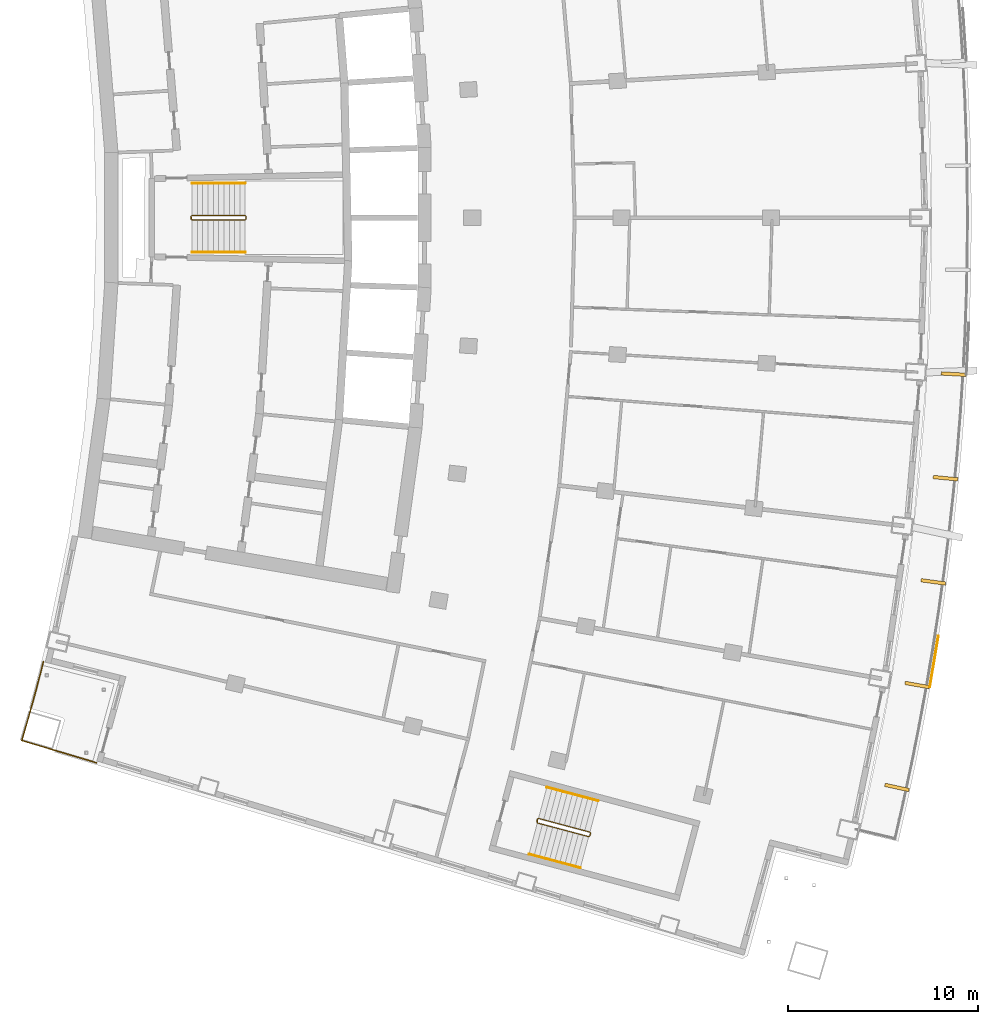
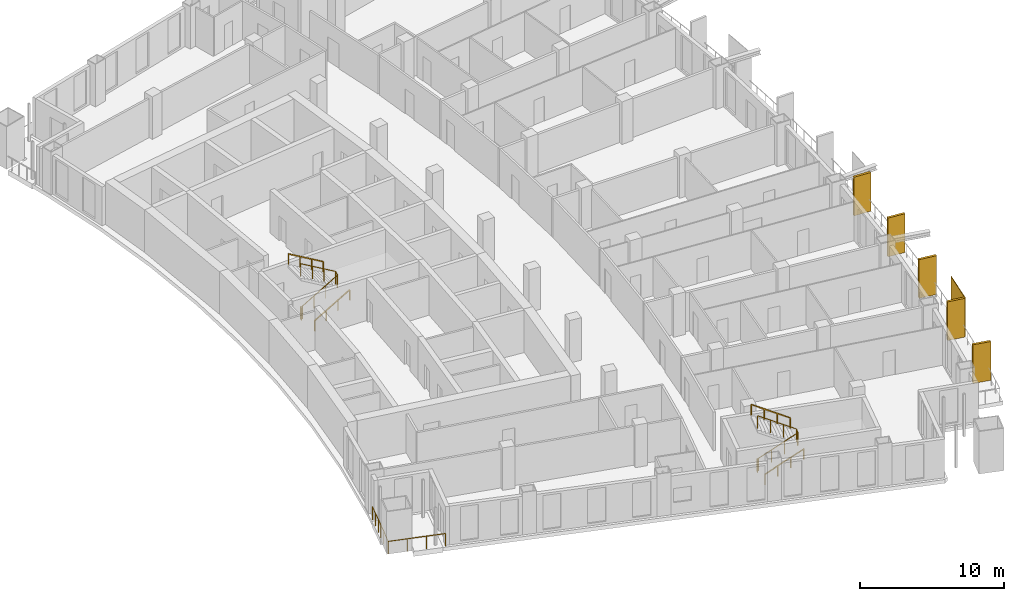
# One storey, part 18 of 20: 7 railings, 6 shading devices.
"""IFC4 building model written with IfcOpenShell, lengths in metres."""

from ifc_helpers import new_model, si_unit, direction, frame, origin, origin_with_axes, origin_2d, place, context, subcontext, project, spatial, rectangle, extrude, material, layer, layer_set, type_object, element, save


model = new_model("IFC4")

# Units and contexts
model_context = context("Model", 3, precision=1e-05, world=origin(), true_north=direction((0.0, 1.0)))
body_context = subcontext(model_context, "Body", "Model", "MODEL_VIEW")
ifc_project = project(units=[si_unit("LENGTHUNIT", "METRE"), si_unit("AREAUNIT", "SQUARE_METRE"), si_unit("VOLUMEUNIT", "CUBIC_METRE"), si_unit("PLANEANGLEUNIT", "RADIAN"), si_unit("MASSUNIT", "GRAM", prefix="KILO")], contexts=[model_context])

# Site, building, storey
site_placement = place(None, origin())
site = spatial("IfcSite", under=ifc_project, at=site_placement, CompositionType="ELEMENT")
building_placement = place(site_placement, origin())
building = spatial("IfcBuilding", under=site, at=building_placement, Name="Alderwake Tower", CompositionType="ELEMENT")
storey_placement = place(building_placement, frame((0.0, 0.0, 164.0)))
storey = spatial("IfcBuildingStorey", under=building, at=storey_placement, Name="L40", CompositionType="ELEMENT", Elevation=164.0)

# Railing
ifc_material_1 = material(Name="Stainless steel 316 rail and posts", Category="steel")
railing_type_1 = type_object("IfcRailingType", Name="Balcony guard 1100", PredefinedType="GUARDRAIL", material=ifc_material_1)
railing_1_placement = place(storey_placement, frame((13.210693359375, 37.612548828125, 0.0)))
element("IfcRailing", 1, at=railing_1_placement, inside=storey, type_object=railing_type_1, Name="Guard terrace RS", PredefinedType="GUARDRAIL", context=body_context, shape_type="SweptSolid", body=[
    extrude(rectangle(XDim=0.048095703125, YDim=0.048095703125, at=origin_2d()), frame((0.0, 0.0, 1.076171875), z_axis=(-0.251385381433, -0.967887075026, 0.0), x_axis=(0.967887075026, -0.251385381433, 0.0)), (0.0, 0.0, 1.0), 1.6015625),
    extrude(rectangle(XDim=0.048095703125, YDim=0.048095703125, at=origin_2d()), frame((-0.402587890625, -1.550048828125, 1.076171875), z_axis=(-0.266520638672, -0.963829211615, 0.0), x_axis=(0.963829211615, -0.266520638672, 0.0)), (0.0, 0.0, 1.0), 1.401611328125),
    extrude(rectangle(XDim=0.048095703125, YDim=0.048095703125, at=origin_2d()), frame((-0.776123046875, -2.90087890625, 1.076171875), z_axis=(-0.280093650878, -0.959972680204, 0.0), x_axis=(0.959972680204, -0.280093650878, 0.0)), (0.0, 0.0, 1.0), 1.30126953125),
    extrude(rectangle(XDim=0.048095703125, YDim=0.048095703125, at=origin_2d()), frame((-1.140625, -4.150146484375, 1.076171875), z_axis=(0.958066871889, -0.286544706789, 0.0), x_axis=(0.286544706789, 0.958066871889, 0.0)), (0.0, 0.0, 1.0), 4.099853515625),
    extrude(rectangle(XDim=0.0419921875, YDim=0.0419921875, at=origin_2d()), frame((0.0, 0.0, 0.0), z_axis=(0.0, 0.0, 1.0), x_axis=(-0.251385381433, -0.967887075026, 0.0)), (0.0, 0.0, 1.0), 1.052001953125),
    extrude(rectangle(XDim=0.0419921875, YDim=0.0419921875, at=origin_2d()), frame((-0.201171875, -0.77490234375, 0.0), z_axis=(0.0, 0.0, 1.0), x_axis=(-0.251385381433, -0.967887075026, 0.0)), (0.0, 0.0, 1.0), 1.052001953125),
    extrude(rectangle(XDim=0.0419921875, YDim=0.0419921875, at=origin_2d()), frame((-0.402587890625, -1.550048828125, 0.0), z_axis=(0.0, 0.0, 1.0), x_axis=(-0.266520638672, -0.963829211615, 0.0)), (0.0, 0.0, 1.0), 1.052001953125),
    extrude(rectangle(XDim=0.0419921875, YDim=0.0419921875, at=origin_2d()), frame((-0.58935546875, -2.2255859375, 0.0), z_axis=(0.0, 0.0, 1.0), x_axis=(-0.266520638672, -0.963829211615, 0.0)), (0.0, 0.0, 1.0), 1.052001953125),
    extrude(rectangle(XDim=0.0419921875, YDim=0.0419921875, at=origin_2d()), frame((-0.776123046875, -2.90087890625, 0.0), z_axis=(0.0, 0.0, 1.0), x_axis=(-0.280093650878, -0.959972680204, 0.0)), (0.0, 0.0, 1.0), 1.052001953125),
    extrude(rectangle(XDim=0.0419921875, YDim=0.0419921875, at=origin_2d()), frame((-1.140625, -4.150146484375, 0.0), z_axis=(0.0, 0.0, 1.0), x_axis=(0.958066871889, -0.286544706789, 0.0)), (0.0, 0.0, 1.0), 1.052001953125),
    extrude(rectangle(XDim=0.0419921875, YDim=0.0419921875, at=origin_2d()), frame((0.168701171875, -4.541748046875, 0.0), z_axis=(0.0, 0.0, 1.0), x_axis=(0.958066871889, -0.286544706789, 0.0)), (0.0, 0.0, 1.0), 1.052001953125),
    extrude(rectangle(XDim=0.0419921875, YDim=0.0419921875, at=origin_2d()), frame((1.47802734375, -4.933349609375, 0.0), z_axis=(0.0, 0.0, 1.0), x_axis=(0.958066871889, -0.286544706789, 0.0)), (0.0, 0.0, 1.0), 1.052001953125),
    extrude(rectangle(XDim=0.0419921875, YDim=0.0419921875, at=origin_2d()), frame((2.787353515625, -5.324951171875, 0.0), z_axis=(0.0, 0.0, 1.0), x_axis=(0.958066871889, -0.286544706789, 0.0)), (0.0, 0.0, 1.0), 1.052001953125),
])

# Shading devices
ifc_material_2 = material(Name="Bronze anodised aluminium", Category="aluminium")
ifc_layer_1 = layer(ifc_material_2, 0.179931640625)
ifc_layer_set_1 = layer_set([ifc_layer_1], Name="Facade fin 1300")
shading_device_type_1 = type_object("IfcShadingDeviceType", Name="Facade fin 1300", PredefinedType="USERDEFINED", material=ifc_layer_set_1)
for number, where, z_axis, x_axis, name in (
    (2, (58.177490234375, 30.984619140625, 0.0), (0.0, 0.0, 1.0), (0.977210363881, -0.212273184185, 0.0), "Fin"),
    (3, (59.240234375, 36.381103515625, 0.0), (0.0, 0.0, 1.0), (0.984726421654, -0.174108800747, 0.0), "Fin"),
    (4, (60.09228515625, 41.814697265625, 0.0), (0.0, 0.0, 1.0), (0.990752577235, -0.135680988728, 0.0), "Fin"),
    (5, (60.732666015625, 47.277587890625, 0.0), (0.0, 0.0, 1.0), (0.995279882363, -0.097046152751, 0.0), "Fin"),
    (6, (61.159912109375, 52.760986328125, 0.0), (0.0, 0.0, 1.0), (0.998301080988, -0.058266214038, 0.0), "Fin"),
):
    element("IfcShadingDevice", number, at=place(storey_placement, frame(where, z_axis=z_axis, x_axis=x_axis)), inside=storey, type_object=shading_device_type_1, Name=name, ObjectType="FIN", PredefinedType="USERDEFINED", context=body_context, shape_type="SweptSolid", body=[
        extrude(rectangle(XDim=1.300048828125, YDim=0.179931640625, at=origin_2d()), origin(), (0.0, 0.0, 1.0), 3.280029296875),
    ])
ifc_material_3 = material(Name="Perforated bronze anodised aluminium", Category="aluminium")
ifc_layer_2 = layer(ifc_material_3, 0.050048828125)
ifc_layer_set_2 = layer_set([ifc_layer_2], Name="Perforated screen panel")
shading_device_type_2 = type_object("IfcShadingDeviceType", Name="Perforated screen panel", PredefinedType="USERDEFINED", material=ifc_layer_set_2)
shading_device_placement = place(storey_placement, frame((60.1318359375, 37.622802734375, 0.0), z_axis=(0.0, 0.0, 1.0), x_axis=(0.986369013299, -0.164548380739, 0.0)))
element("IfcShadingDevice", 7, at=shading_device_placement, inside=storey, type_object=shading_device_type_2, Name="Screen panel", ObjectType="SCREEN", PredefinedType="USERDEFINED", context=body_context, shape_type="SweptSolid", body=[
    extrude(rectangle(XDim=0.050048828125, YDim=2.756103515625, at=origin_2d()), origin(), (0.0, 0.0, 1.0), 3.280029296875),
])

# Railings
ifc_material_4 = material(Name="Stainless steel guard", Category="steel")
railing_type_2 = type_object("IfcRailingType", Name="Stair guard 1100", PredefinedType="GUARDRAIL", material=ifc_material_4)
railing_2_placement = place(storey_placement, frame((20.989990234375, 60.925048828125, 0.0)))
element("IfcRailing", 8, at=railing_2_placement, inside=storey, type_object=railing_type_2, Name="L40 ST-B stair guard 1", PredefinedType="GUARDRAIL", context=body_context, shape_type="SweptSolid", body=[
    extrude(rectangle(XDim=0.048095703125, YDim=0.048095703125, at=origin_2d()), frame((0.0, 0.0, 1.076171875), z_axis=(0.0, 1.0, 0.0), x_axis=(-1.0, 0.0, 0.0)), (0.0, 0.0, 1.0), 0.14990234375),
    extrude(rectangle(XDim=0.048095703125, YDim=0.048095703125, at=origin_2d()), frame((0.0, 0.14990234375, 1.076171875), z_axis=(0.190199549216, -0.759870394187, 0.621627795), x_axis=(0.970072785993, 0.242814311512, 0.0)), (0.0, 0.0, 1.0), 0.26318359375),
    extrude(rectangle(XDim=0.048095703125, YDim=0.048095703125, at=origin_2d()), frame((0.050048828125, -0.050048828125, 1.23974609375), z_axis=(0.863360870873, 0.0, 0.504586966384), x_axis=(0.0, 1.0, 0.0)), (0.0, 0.0, 1.0), 3.2431640625),
    extrude(rectangle(XDim=0.048095703125, YDim=0.048095703125, at=origin_2d()), frame((2.85009765625, -0.050048828125, 2.8759765625), z_axis=(0.705375805398, 0.708833529934, 0.0), x_axis=(-0.708833529934, 0.705375805398, 0.0)), (0.0, 0.0, 1.0), 0.070556640625),
    extrude(rectangle(XDim=0.048095703125, YDim=0.048095703125, at=origin_2d()), frame((2.89990234375, 0.0, 2.8759765625), z_axis=(0.0, 1.0, 0.0), x_axis=(-1.0, 0.0, 0.0)), (0.0, 0.0, 1.0), 0.14990234375),
    extrude(rectangle(XDim=0.048095703125, YDim=0.048095703125, at=origin_2d()), frame((2.89990234375, 0.14990234375, 2.8759765625), z_axis=(-0.279546231943, 0.280916556609, 0.91811752648), x_axis=(-0.708833529934, -0.705375805398, 0.0)), (0.0, 0.0, 1.0), 0.17822265625),
    extrude(rectangle(XDim=0.048095703125, YDim=0.048095703125, at=origin_2d()), frame((2.85009765625, 0.199951171875, 3.03955078125), z_axis=(-0.863360870873, 0.0, 0.504586966384), x_axis=(0.0, -1.0, 0.0)), (0.0, 0.0, 1.0), 3.2431640625),
    extrude(rectangle(XDim=0.0419921875, YDim=0.0419921875, at=origin_2d()), frame((0.0, 0.0, 0.0), z_axis=(0.0, 0.0, 1.0), x_axis=(0.0, 1.0, 0.0)), (0.0, 0.0, 1.0), 1.052001953125),
    extrude(rectangle(XDim=0.0419921875, YDim=0.0419921875, at=origin_2d()), frame((0.0, 0.14990234375, 0.0), z_axis=(0.0, 0.0, 1.0), x_axis=(0.242814311512, -0.970072785993, 0.0)), (0.0, 0.0, 1.0), 1.052001953125),
    extrude(rectangle(XDim=0.0419921875, YDim=0.0419921875, at=origin_2d()), frame((0.050048828125, -0.050048828125, 0.16357421875), z_axis=(0.0, 0.0, 1.0), x_axis=(1.0, 0.0, 0.0)), (0.0, 0.0, 1.0), 1.052001953125),
    extrude(rectangle(XDim=0.0419921875, YDim=0.0419921875, at=origin_2d()), frame((0.9833984375, -0.050048828125, 0.708984375), z_axis=(0.0, 0.0, 1.0), x_axis=(1.0, 0.0, 0.0)), (0.0, 0.0, 1.0), 1.052001953125),
    extrude(rectangle(XDim=0.0419921875, YDim=0.0419921875, at=origin_2d()), frame((1.916748046875, -0.050048828125, 1.254638671875), z_axis=(0.0, 0.0, 1.0), x_axis=(1.0, 0.0, 0.0)), (0.0, 0.0, 1.0), 1.052001953125),
    extrude(rectangle(XDim=0.0419921875, YDim=0.0419921875, at=origin_2d()), frame((2.85009765625, -0.050048828125, 1.800048828125), z_axis=(0.0, 0.0, 1.0), x_axis=(0.705375805398, 0.708833529934, 0.0)), (0.0, 0.0, 1.0), 1.052001953125),
    extrude(rectangle(XDim=0.0419921875, YDim=0.0419921875, at=origin_2d()), frame((2.89990234375, 0.0, 1.800048828125), z_axis=(0.0, 0.0, 1.0), x_axis=(0.0, 1.0, 0.0)), (0.0, 0.0, 1.0), 1.052001953125),
    extrude(rectangle(XDim=0.0419921875, YDim=0.0419921875, at=origin_2d()), frame((2.89990234375, 0.14990234375, 1.800048828125), z_axis=(0.0, 0.0, 1.0), x_axis=(-0.705375805398, 0.708833529934, 0.0)), (0.0, 0.0, 1.0), 1.052001953125),
    extrude(rectangle(XDim=0.0419921875, YDim=0.0419921875, at=origin_2d()), frame((2.85009765625, 0.199951171875, 1.963623046875), z_axis=(0.0, 0.0, 1.0), x_axis=(-1.0, 0.0, 0.0)), (0.0, 0.0, 1.0), 1.052001953125),
    extrude(rectangle(XDim=0.0419921875, YDim=0.0419921875, at=origin_2d()), frame((1.916748046875, 0.199951171875, 2.509033203125), z_axis=(0.0, 0.0, 1.0), x_axis=(-1.0, 0.0, 0.0)), (0.0, 0.0, 1.0), 1.052001953125),
    extrude(rectangle(XDim=0.0419921875, YDim=0.0419921875, at=origin_2d()), frame((0.9833984375, 0.199951171875, 3.0546875), z_axis=(0.0, 0.0, 1.0), x_axis=(-1.0, 0.0, 0.0)), (0.0, 0.0, 1.0), 1.052001953125),
    extrude(rectangle(XDim=0.0419921875, YDim=0.0419921875, at=origin_2d()), frame((0.050048828125, 0.199951171875, 3.60009765625), z_axis=(0.0, 0.0, 1.0), x_axis=(-1.0, 0.0, 0.0)), (0.0, 0.0, 1.0), 1.052001953125),
])
railing_3_placement = place(storey_placement, frame((39.1943359375, 29.17431640625, 0.0)))
element("IfcRailing", 9, at=railing_3_placement, inside=storey, type_object=railing_type_2, Name="L40 ST-C stair guard 1", PredefinedType="GUARDRAIL", context=body_context, shape_type="SweptSolid", body=[
    extrude(rectangle(XDim=0.048095703125, YDim=0.048095703125, at=origin_2d()), frame((0.0, 0.0, 1.076171875), z_axis=(0.257459803502, 0.966289009345, 0.0), x_axis=(-0.966289009345, 0.257459803502, 0.0)), (0.0, 0.0, 1.0), 0.14990234375),
    extrude(rectangle(XDim=0.048095703125, YDim=0.048095703125, at=origin_2d()), frame((0.03857421875, 0.144775390625, 1.076171875), z_axis=(-0.012062893862, -0.783160186125, 0.621702991355), x_axis=(0.999881397308, -0.015401016783, 0.0)), (0.0, 0.0, 1.0), 0.26318359375),
    extrude(rectangle(XDim=0.048095703125, YDim=0.048095703125, at=origin_2d()), frame((0.035400390625, -0.061279296875, 1.23974609375), z_axis=(0.834281824786, -0.222214197128, 0.504573768072), x_axis=(0.257380452725, 0.966310148221, 0.0)), (0.0, 0.0, 1.0), 3.2431640625),
    extrude(rectangle(XDim=0.048095703125, YDim=0.048095703125, at=origin_2d()), frame((2.7412109375, -0.781982421875, 2.8759765625), z_axis=(0.865031189262, 0.501718089772, 0.0), x_axis=(-0.501718089772, 0.865031189262, 0.0)), (0.0, 0.0, 1.0), 0.070556640625),
    extrude(rectangle(XDim=0.048095703125, YDim=0.048095703125, at=origin_2d()), frame((2.80224609375, -0.74658203125, 2.8759765625), z_axis=(0.257055032184, 0.966396766566, 0.0), x_axis=(-0.966396766566, 0.257055032184, 0.0)), (0.0, 0.0, 1.0), 0.150146484375),
    extrude(rectangle(XDim=0.048095703125, YDim=0.048095703125, at=origin_2d()), frame((2.8408203125, -0.6015625, 2.8759765625), z_axis=(-0.198625291617, 0.343827228937, 0.91778583023), x_axis=(-0.865898279276, -0.500220121494, 0.0)), (0.0, 0.0, 1.0), 0.17822265625),
    extrude(rectangle(XDim=0.048095703125, YDim=0.048095703125, at=origin_2d()), frame((2.805419921875, -0.540283203125, 3.03955078125), z_axis=(-0.834258940753, 0.22222815314, 0.504605457487), x_axis=(-0.257402139082, -0.966304371715, 0.0)), (0.0, 0.0, 1.0), 3.2431640625),
    extrude(rectangle(XDim=0.0419921875, YDim=0.0419921875, at=origin_2d()), frame((0.0, 0.0, 0.0), z_axis=(0.0, 0.0, 1.0), x_axis=(0.257459803502, 0.966289009345, 0.0)), (0.0, 0.0, 1.0), 1.052001953125),
    extrude(rectangle(XDim=0.0419921875, YDim=0.0419921875, at=origin_2d()), frame((0.03857421875, 0.144775390625, 0.0), z_axis=(0.0, 0.0, 1.0), x_axis=(-0.015401016783, -0.999881397308, 0.0)), (0.0, 0.0, 1.0), 1.052001953125),
    extrude(rectangle(XDim=0.0419921875, YDim=0.0419921875, at=origin_2d()), frame((0.035400390625, -0.061279296875, 0.16357421875), z_axis=(0.0, 0.0, 1.0), x_axis=(0.966310148221, -0.257380452725, 0.0)), (0.0, 0.0, 1.0), 1.052001953125),
    extrude(rectangle(XDim=0.0419921875, YDim=0.0419921875, at=origin_2d()), frame((0.937255859375, -0.301513671875, 0.708984375), z_axis=(0.0, 0.0, 1.0), x_axis=(0.966310148221, -0.257380452725, 0.0)), (0.0, 0.0, 1.0), 1.052001953125),
    extrude(rectangle(XDim=0.0419921875, YDim=0.0419921875, at=origin_2d()), frame((1.83935546875, -0.541748046875, 1.254638671875), z_axis=(0.0, 0.0, 1.0), x_axis=(0.966310148221, -0.257380452725, 0.0)), (0.0, 0.0, 1.0), 1.052001953125),
    extrude(rectangle(XDim=0.0419921875, YDim=0.0419921875, at=origin_2d()), frame((2.7412109375, -0.781982421875, 1.800048828125), z_axis=(0.0, 0.0, 1.0), x_axis=(0.865031189262, 0.501718089772, 0.0)), (0.0, 0.0, 1.0), 1.052001953125),
    extrude(rectangle(XDim=0.0419921875, YDim=0.0419921875, at=origin_2d()), frame((2.80224609375, -0.74658203125, 1.800048828125), z_axis=(0.0, 0.0, 1.0), x_axis=(0.257055032184, 0.966396766566, 0.0)), (0.0, 0.0, 1.0), 1.052001953125),
    extrude(rectangle(XDim=0.0419921875, YDim=0.0419921875, at=origin_2d()), frame((2.8408203125, -0.6015625, 1.800048828125), z_axis=(0.0, 0.0, 1.0), x_axis=(-0.500220121494, 0.865898279276, 0.0)), (0.0, 0.0, 1.0), 1.052001953125),
    extrude(rectangle(XDim=0.0419921875, YDim=0.0419921875, at=origin_2d()), frame((2.805419921875, -0.540283203125, 1.963623046875), z_axis=(0.0, 0.0, 1.0), x_axis=(-0.966304371715, 0.257402139082, 0.0)), (0.0, 0.0, 1.0), 1.052001953125),
    extrude(rectangle(XDim=0.0419921875, YDim=0.0419921875, at=origin_2d()), frame((1.903564453125, -0.300048828125, 2.509033203125), z_axis=(0.0, 0.0, 1.0), x_axis=(-0.966304371715, 0.257402139082, 0.0)), (0.0, 0.0, 1.0), 1.052001953125),
    extrude(rectangle(XDim=0.0419921875, YDim=0.0419921875, at=origin_2d()), frame((1.001708984375, -0.059814453125, 3.0546875), z_axis=(0.0, 0.0, 1.0), x_axis=(-0.966304371715, 0.257402139082, 0.0)), (0.0, 0.0, 1.0), 1.052001953125),
    extrude(rectangle(XDim=0.0419921875, YDim=0.0419921875, at=origin_2d()), frame((0.099853515625, 0.180419921875, 3.60009765625), z_axis=(0.0, 0.0, 1.0), x_axis=(-0.966304371715, 0.257402139082, 0.0)), (0.0, 0.0, 1.0), 1.052001953125),
])
ifc_material_5 = material(Name="Stainless steel handrail", Category="steel")
railing_type_3 = type_object("IfcRailingType", Name="Stair handrail 900", PredefinedType="HANDRAIL", material=ifc_material_5)
railing_4_placement = place(storey_placement, frame((21.0400390625, 59.175048828125, 0.16357421875)))
element("IfcRailing", 10, at=railing_4_placement, inside=storey, type_object=railing_type_3, Name="L40 ST-B stair handrail 1", PredefinedType="HANDRAIL", context=body_context, shape_type="SweptSolid", body=[
    extrude(rectangle(XDim=0.048095703125, YDim=0.048095703125, at=origin_2d()), frame((0.0, 0.0, 0.8759765625), z_axis=(0.863360870873, 0.0, 0.504586966384), x_axis=(0.0, 1.0, 0.0)), (0.0, 0.0, 1.0), 3.2431640625),
    extrude(rectangle(XDim=0.0419921875, YDim=0.0419921875, at=origin_2d()), origin_with_axes(), (0.0, 0.0, 1.0), 0.851806640625),
    extrude(rectangle(XDim=0.0419921875, YDim=0.0419921875, at=origin_2d()), frame((0.933349609375, 0.0, 0.54541015625), z_axis=(0.0, 0.0, 1.0), x_axis=(1.0, 0.0, 0.0)), (0.0, 0.0, 1.0), 0.851806640625),
    extrude(rectangle(XDim=0.0419921875, YDim=0.0419921875, at=origin_2d()), frame((1.86669921875, 0.0, 1.091064453125), z_axis=(0.0, 0.0, 1.0), x_axis=(1.0, 0.0, 0.0)), (0.0, 0.0, 1.0), 0.851806640625),
    extrude(rectangle(XDim=0.0419921875, YDim=0.0419921875, at=origin_2d()), frame((2.800048828125, 0.0, 1.636474609375), z_axis=(0.0, 0.0, 1.0), x_axis=(1.0, 0.0, 0.0)), (0.0, 0.0, 1.0), 0.851806640625),
])
railing_5_placement = place(storey_placement, frame((23.840087890625, 62.824951171875, 1.963623046875)))
element("IfcRailing", 11, at=railing_5_placement, inside=storey, type_object=railing_type_3, Name="L40 ST-B stair handrail 2", PredefinedType="HANDRAIL", context=body_context, shape_type="SweptSolid", body=[
    extrude(rectangle(XDim=0.048095703125, YDim=0.048095703125, at=origin_2d()), frame((0.0, 0.0, 0.8759765625), z_axis=(-0.863360870873, 0.0, 0.504586966384), x_axis=(0.0, -1.0, 0.0)), (0.0, 0.0, 1.0), 3.2431640625),
    extrude(rectangle(XDim=0.0419921875, YDim=0.0419921875, at=origin_2d()), frame((0.0, 0.0, 0.0), z_axis=(0.0, 0.0, 1.0), x_axis=(-1.0, 0.0, 0.0)), (0.0, 0.0, 1.0), 0.851806640625),
    extrude(rectangle(XDim=0.0419921875, YDim=0.0419921875, at=origin_2d()), frame((-0.933349609375, 0.0, 0.54541015625), z_axis=(0.0, 0.0, 1.0), x_axis=(-1.0, 0.0, 0.0)), (0.0, 0.0, 1.0), 0.851806640625),
    extrude(rectangle(XDim=0.0419921875, YDim=0.0419921875, at=origin_2d()), frame((-1.86669921875, 0.0, 1.091064453125), z_axis=(0.0, 0.0, 1.0), x_axis=(-1.0, 0.0, 0.0)), (0.0, 0.0, 1.0), 0.851806640625),
    extrude(rectangle(XDim=0.0419921875, YDim=0.0419921875, at=origin_2d()), frame((-2.800048828125, 0.0, 1.636474609375), z_axis=(0.0, 0.0, 1.0), x_axis=(-1.0, 0.0, 0.0)), (0.0, 0.0, 1.0), 0.851806640625),
])
railing_6_placement = place(storey_placement, frame((38.792236328125, 27.47021484375, 0.16357421875)))
element("IfcRailing", 12, at=railing_6_placement, inside=storey, type_object=railing_type_3, Name="L40 ST-C stair handrail 1", PredefinedType="HANDRAIL", context=body_context, shape_type="SweptSolid", body=[
    extrude(rectangle(XDim=0.048095703125, YDim=0.048095703125, at=origin_2d()), frame((0.0, 0.0, 0.8759765625), z_axis=(0.834272895437, -0.222156588561, 0.504613898043), x_axis=(0.25732071773, 0.966326056891, 0.0)), (0.0, 0.0, 1.0), 3.242919921875),
    extrude(rectangle(XDim=0.0419921875, YDim=0.0419921875, at=origin_2d()), frame((0.0, 0.0, 0.0), z_axis=(0.0, 0.0, 1.0), x_axis=(0.966326056891, -0.25732071773, 0.0)), (0.0, 0.0, 1.0), 0.851806640625),
    extrude(rectangle(XDim=0.0419921875, YDim=0.0419921875, at=origin_2d()), frame((0.90185546875, -0.240234375, 0.54541015625), z_axis=(0.0, 0.0, 1.0), x_axis=(0.966326056891, -0.25732071773, 0.0)), (0.0, 0.0, 1.0), 0.851806640625),
    extrude(rectangle(XDim=0.0419921875, YDim=0.0419921875, at=origin_2d()), frame((1.8037109375, -0.480224609375, 1.091064453125), z_axis=(0.0, 0.0, 1.0), x_axis=(0.966326056891, -0.25732071773, 0.0)), (0.0, 0.0, 1.0), 0.851806640625),
    extrude(rectangle(XDim=0.0419921875, YDim=0.0419921875, at=origin_2d()), frame((2.70556640625, -0.720458984375, 1.636474609375), z_axis=(0.0, 0.0, 1.0), x_axis=(0.966326056891, -0.25732071773, 0.0)), (0.0, 0.0, 1.0), 0.851806640625),
])
railing_7_placement = place(storey_placement, frame((42.437255859375, 30.276611328125, 1.963623046875)))
element("IfcRailing", 13, at=railing_7_placement, inside=storey, type_object=railing_type_3, Name="L40 ST-C stair handrail 2", PredefinedType="HANDRAIL", context=body_context, shape_type="SweptSolid", body=[
    extrude(rectangle(XDim=0.048095703125, YDim=0.048095703125, at=origin_2d()), frame((0.0, 0.0, 0.8759765625), z_axis=(-0.834258940753, 0.22222815314, 0.504605457487), x_axis=(-0.257402139082, -0.966304371715, 0.0)), (0.0, 0.0, 1.0), 3.2431640625),
    extrude(rectangle(XDim=0.0419921875, YDim=0.0419921875, at=origin_2d()), frame((0.0, 0.0, 0.0), z_axis=(0.0, 0.0, 1.0), x_axis=(-0.966304371715, 0.257402139082, 0.0)), (0.0, 0.0, 1.0), 0.851806640625),
    extrude(rectangle(XDim=0.0419921875, YDim=0.0419921875, at=origin_2d()), frame((-0.90185546875, 0.240234375, 0.54541015625), z_axis=(0.0, 0.0, 1.0), x_axis=(-0.966304371715, 0.257402139082, 0.0)), (0.0, 0.0, 1.0), 0.851806640625),
    extrude(rectangle(XDim=0.0419921875, YDim=0.0419921875, at=origin_2d()), frame((-1.8037109375, 0.48046875, 1.091064453125), z_axis=(0.0, 0.0, 1.0), x_axis=(-0.966304371715, 0.257402139082, 0.0)), (0.0, 0.0, 1.0), 0.851806640625),
    extrude(rectangle(XDim=0.0419921875, YDim=0.0419921875, at=origin_2d()), frame((-2.70556640625, 0.720703125, 1.636474609375), z_axis=(0.0, 0.0, 1.0), x_axis=(-0.966304371715, 0.257402139082, 0.0)), (0.0, 0.0, 1.0), 0.851806640625),
])

save(model, "model.ifc")
